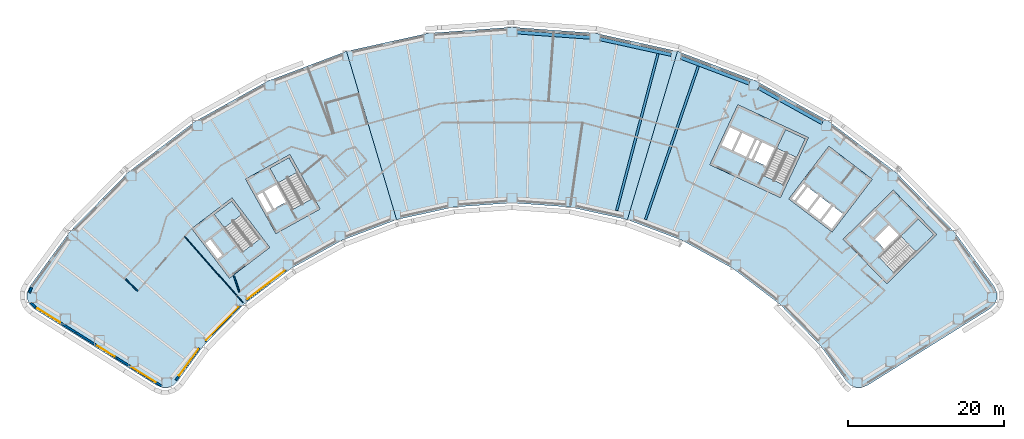
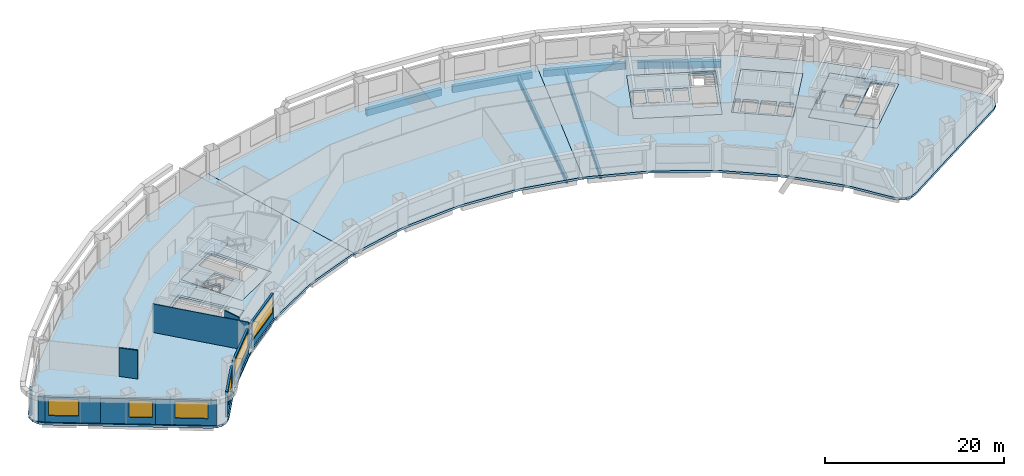
# One storey, part 2 of 11: 12 slabs, 11 walls, 6 beams, 6 windows, 6 openings, 4 elements without a shape of their own.
"""IFC4 building model written with IfcOpenShell, lengths in metres."""

from ifc_helpers import new_model, si_unit, direction, frame, frame_2d, origin, origin_2d, place, context, subcontext, project, spatial, polyline, rectangle, hollow_rectangle, i_section, outline, extrude, material, layer, layer_set, material_profile, profile_set, type_object, element, fill, aggregate, save


model = new_model("IFC4")

# Units and contexts
model_context = context("Model", 3, precision=1e-05, world=origin(), true_north=direction((0.0, 1.0)))
body_context = subcontext(model_context, "Body", "Model", "MODEL_VIEW")
ifc_project = project(units=[si_unit("LENGTHUNIT", "METRE"), si_unit("AREAUNIT", "SQUARE_METRE"), si_unit("VOLUMEUNIT", "CUBIC_METRE"), si_unit("PLANEANGLEUNIT", "RADIAN"), si_unit("MASSUNIT", "GRAM", prefix="KILO")], contexts=[model_context])

# Site, building, storey
site_placement = place(None, origin())
site = spatial("IfcSite", under=ifc_project, at=site_placement, CompositionType="ELEMENT")
building_placement = place(site_placement, origin())
building = spatial("IfcBuilding", under=site, at=building_placement, Name="Tuul Gate Civic Tower", CompositionType="ELEMENT")
storey_placement = place(building_placement, frame((0.0, 0.0, 52.5)))
storey = spatial("IfcBuildingStorey", under=building, at=storey_placement, Name="Level 11", CompositionType="ELEMENT", Elevation=52.5)

# Beams
ifc_material_1 = material(Name="Steel S355", Category="steel")
ifc_material_profile_1 = material_profile(ifc_material_1, i_section(OverallWidth=0.300048828125, OverallDepth=0.800048828125, WebThickness=0.013916015625, FlangeThickness=0.02490234375, at=origin_2d()), Name="PG800x300x14x25")
ifc_profile_set_1 = profile_set([ifc_material_profile_1], Name="Steel S355")
beam_type_1 = type_object("IfcBeamType", Name="STR-FLOOR BEAM-PG800x300x14x25", PredefinedType="BEAM", material=ifc_profile_set_1)
beam_1_placement = place(storey_placement, frame((17.146240234375, -10.189453125, -0.699951171875), z_axis=(0.325486974479, 0.945546524209, 0.0), x_axis=(-0.945546524209, 0.325486974479, 0.0)))
element("IfcBeam", 1, at=beam_1_placement, inside=storey, type_object=beam_type_1, Name="Floor beam", PredefinedType="BEAM", context=body_context, shape_type="SweptSolid", body=[
    extrude(i_section(OverallWidth=0.300048828125, OverallDepth=0.800048828125, WebThickness=0.013916015625, FlangeThickness=0.02490234375, at=origin_2d()), origin(), (0.0, 0.0, 1.0), 20.809326171875),
])
beam_2_placement = place(storey_placement, frame((13.438720703125, -9.04296875, -0.699951171875), z_axis=(0.255004720301, 0.96693980817, 0.0), x_axis=(-0.96693980817, 0.255004720301, 0.0)))
element("IfcBeam", 2, at=beam_2_placement, inside=storey, type_object=beam_type_1, Name="Floor beam", PredefinedType="BEAM", context=body_context, shape_type="SweptSolid", body=[
    extrude(i_section(OverallWidth=0.300048828125, OverallDepth=0.800048828125, WebThickness=0.013916015625, FlangeThickness=0.02490234375, at=origin_2d()), origin(), (0.0, 0.0, 1.0), 20.817626953125),
])
ifc_material_2 = material(Name="Steel S355", Category="steel")
ifc_material_profile_2 = material_profile(ifc_material_2, hollow_rectangle(XDim=0.449951171875, YDim=0.89990234375, WallThickness=0.02490234375, at=origin_2d()), Name="BOX900x450x25")
ifc_profile_set_2 = profile_set([ifc_material_profile_2], Name="Steel S355")
beam_type_2 = type_object("IfcBeamType", Name="STR-SPANDREL BEAM-BOX900x450x25", PredefinedType="BEAM", material=ifc_profile_set_2)
beam_3_placement = place(storey_placement, frame((39.83349609375, 2.191162109375, -0.75), z_axis=(-0.874628488078, 0.484793778676, 0.0), x_axis=(-0.484793778676, -0.874628488078, 0.0)))
element("IfcBeam", 3, at=beam_3_placement, inside=storey, type_object=beam_type_2, Name="Spandrel beam", PredefinedType="BEAM", context=body_context, shape_type="SweptSolid", body=[
    extrude(hollow_rectangle(XDim=0.449951171875, YDim=0.89990234375, WallThickness=0.02490234375, at=origin_2d()), origin(), (0.0, 0.0, 1.0), 9.37646484375),
])
beam_4_placement = place(storey_placement, frame((30.4560546875, 7.281982421875, -0.75), z_axis=(-0.935343306637, 0.353741287849, 0.0), x_axis=(-0.353741287849, -0.935343306637, 0.0)))
element("IfcBeam", 4, at=beam_4_placement, inside=storey, type_object=beam_type_2, Name="Spandrel beam", PredefinedType="BEAM", context=body_context, shape_type="SweptSolid", body=[
    extrude(hollow_rectangle(XDim=0.449951171875, YDim=0.89990234375, WallThickness=0.02490234375, at=origin_2d()), origin(), (0.0, 0.0, 1.0), 9.377197265625),
])
beam_5_placement = place(storey_placement, frame((20.442138671875, 10.968994140625, -0.75), z_axis=(-0.976572630495, 0.215188051174, 0.0), x_axis=(-0.215188051174, -0.976572630495, 0.0)))
element("IfcBeam", 5, at=beam_5_placement, inside=storey, type_object=beam_type_2, Name="Spandrel beam", PredefinedType="BEAM", context=body_context, shape_type="SweptSolid", body=[
    extrude(hollow_rectangle(XDim=0.449951171875, YDim=0.89990234375, WallThickness=0.02490234375, at=origin_2d()), origin(), (0.0, 0.0, 1.0), 9.378173828125),
])
beam_6_placement = place(storey_placement, frame((10.000732421875, 13.173828125, -0.75), z_axis=(-0.997388439542, 0.072223961869, 0.0), x_axis=(-0.072223961869, -0.997388439542, 0.0)))
element("IfcBeam", 6, at=beam_6_placement, inside=storey, type_object=beam_type_2, Name="Spandrel beam", PredefinedType="BEAM", context=body_context, shape_type="SweptSolid", body=[
    extrude(hollow_rectangle(XDim=0.449951171875, YDim=0.89990234375, WallThickness=0.02490234375, at=origin_2d()), origin(), (0.0, 0.0, 1.0), 9.376953125),
])

# Slabs
ifc_material_3 = material(Name="Concrete C40/50", Category="concrete")
ifc_layer_1 = layer(ifc_material_3, 0.300048828125)
ifc_layer_set_1 = layer_set([ifc_layer_1], Name="Concrete C40/50")
slab_type_1 = type_object("IfcSlabType", Name="Core floor slab 300", PredefinedType="FLOOR", material=ifc_layer_set_1)
slab_1_placement = place(storey_placement, frame((0.0, 0.0, -0.300048828125)))
element("IfcSlab", 7, at=slab_1_placement, inside=storey, type_object=slab_type_1, Name="FLOOR SLAB", PredefinedType="FLOOR", context=body_context, shape_type="SweptSolid", body=[
    extrude(outline(polyline([(-31.10009765625, -13.7890625), (-35.946044921875, -7.423828125), (-41.11767578125, -11.361572265625), (-36.271484375, -17.726806640625), (-31.10009765625, -13.7890625)]), holes=[polyline([(-37.19287109375, -14.783203125), (-38.737548828125, -12.75439453125), (-39.45361328125, -13.299560546875), (-37.908935546875, -15.328369140625), (-37.19287109375, -14.783203125)]), polyline([(-32.33935546875, -12.65771484375), (-34.56591796875, -14.352783203125), (-38.229736328125, -9.54052734375), (-36.003173828125, -7.845458984375), (-32.33935546875, -12.65771484375)])]), origin(), (0.0, 0.0, 1.0), 0.300048828125),
])
slab_2_placement = place(storey_placement, frame((0.0, 0.0, -0.300048828125)))
element("IfcSlab", 8, at=slab_2_placement, inside=storey, type_object=slab_type_1, Name="FLOOR SLAB", PredefinedType="FLOOR", context=body_context, shape_type="SweptSolid", body=[
    extrude(outline(polyline([(-24.638916015625, -8.846923828125), (-28.51708984375, -1.849853515625), (-34.2021484375, -5.0009765625), (-30.32421875, -11.998046875), (-24.638916015625, -8.846923828125)]), holes=[polyline([(-29.0185546875, -7.958740234375), (-30.254638671875, -5.728515625), (-31.785400390625, -6.576904296875), (-30.54931640625, -8.80712890625), (-29.0185546875, -7.958740234375)]), polyline([(-30.8115234375, -8.95263671875), (-32.047607421875, -6.72216796875), (-32.8349609375, -7.158447265625), (-31.5986328125, -9.388916015625), (-30.8115234375, -8.95263671875)]), polyline([(-25.702392578125, -7.548828125), (-28.14990234375, -8.905517578125), (-31.08203125, -3.615234375), (-28.63427734375, -2.2587890625), (-25.702392578125, -7.548828125)])]), origin(), (0.0, 0.0, 1.0), 0.300048828125),
])
slab_3_placement = place(storey_placement, frame((0.0, 0.0, -0.300048828125)))
element("IfcSlab", 9, at=slab_3_placement, inside=storey, type_object=slab_type_1, Name="FLOOR SLAB", PredefinedType="FLOOR", context=body_context, shape_type="SweptSolid", body=[
    extrude(outline(polyline([(48.117919921875, -18.43310546875), (54.545166015625, -12.1328125), (48.945068359375, -6.419921875), (42.517822265625, -12.719970703125), (48.117919921875, -18.43310546875)]), holes=[polyline([(47.808837890625, -13.974853515625), (49.6298828125, -12.18994140625), (48.40478515625, -10.940185546875), (46.583984375, -12.72509765625), (47.808837890625, -13.974853515625)]), polyline([(44.93896484375, -11.046875), (46.760009765625, -9.261962890625), (46.514892578125, -9.011962890625), (44.69384765625, -10.797119140625), (44.93896484375, -11.046875)]), polyline([(49.086181640625, -17.062744140625), (47.12744140625, -15.064208984375), (52.160888671875, -10.130126953125), (54.11962890625, -12.128662109375), (49.086181640625, -17.062744140625)])]), origin(), (0.0, 0.0, 1.0), 0.300048828125),
])
slab_4_placement = place(storey_placement, frame((0.0, 0.0, -0.300048828125)))
element("IfcSlab", 10, at=slab_4_placement, inside=storey, type_object=slab_type_1, Name="FLOOR SLAB", PredefinedType="FLOOR", context=body_context, shape_type="SweptSolid", body=[
    extrude(outline(polyline([(34.465087890625, -7.385986328125), (38.056884765625, 0.31787109375), (28.993896484375, 4.543701171875), (25.40185546875, -3.159912109375), (34.465087890625, -7.385986328125)]), holes=[polyline([(32.60888671875, -3.32080078125), (33.6865234375, -1.009765625), (32.1005859375, -0.27001953125), (31.02294921875, -2.581298828125), (32.60888671875, -3.32080078125)]), polyline([(30.0712890625, -2.137451171875), (31.14892578125, 0.173583984375), (29.562744140625, 0.9130859375), (28.4853515625, -1.39794921875), (30.0712890625, -2.137451171875)]), polyline([(30.751220703125, -2.454345703125), (31.82861328125, -0.143310546875), (31.4208984375, 0.046875), (30.34326171875, -2.264404296875), (30.751220703125, -2.454345703125)]), polyline([(28.21337890625, -1.27099609375), (29.291015625, 1.0400390625), (27.8408203125, 1.71630859375), (26.76318359375, -0.594970703125), (28.21337890625, -1.27099609375)]), polyline([(34.889892578125, -5.7626953125), (32.353759765625, -4.580078125), (35.120849609375, 1.354736328125), (37.6572265625, 0.17236328125), (34.889892578125, -5.7626953125)])]), origin(), (0.0, 0.0, 1.0), 0.300048828125),
])
ifc_material_4 = material(Name="Concrete C40/50", Category="concrete")
ifc_layer_2 = layer(ifc_material_4, 0.300048828125)
ifc_layer_set_2 = layer_set([ifc_layer_2], Name="Concrete C40/50")
slab_type_2 = type_object("IfcSlabType", Name="Core floor slab 300 non-bearing", PredefinedType="FLOOR", material=ifc_layer_set_2)
slab_5_placement = place(storey_placement, frame((0.0, 0.0, -0.300048828125)))
element("IfcSlab", 11, at=slab_5_placement, inside=storey, type_object=slab_type_2, Name="FLOOR SLAB", PredefinedType="FLOOR", context=body_context, shape_type="SweptSolid", body=[
    extrude(outline(polyline([(41.10107421875, -11.797119140625), (46.25, -5.033935546875), (40.680908203125, -0.79296875), (35.531982421875, -7.555908203125), (41.10107421875, -11.797119140625)]), holes=[polyline([(41.044189453125, -11.37646484375), (42.497802734375, -9.467041015625), (41.22509765625, -8.49755859375), (39.77099609375, -10.4072265625), (41.044189453125, -11.37646484375)]), polyline([(39.532470703125, -10.225341796875), (40.986328125, -8.31591796875), (39.593994140625, -7.255615234375), (38.14013671875, -9.165283203125), (39.532470703125, -10.225341796875)]), polyline([(37.901611328125, -8.9833984375), (39.35546875, -7.073974609375), (37.963134765625, -6.013671875), (36.50927734375, -7.923095703125), (37.901611328125, -8.9833984375)]), polyline([(36.1796875, -7.860595703125), (37.724609375, -5.831787109375), (37.286865234375, -5.49853515625), (35.7421875, -7.527587890625), (36.1796875, -7.860595703125)])]), origin(), (0.0, 0.0, 1.0), 0.300048828125),
])

# Stair, slab
ifc_material_5 = material(Name="Concrete C40/50", Category="concrete")
stair_type = type_object("IfcStairType", Name="Exit stair", PredefinedType="HALF_TURN_STAIR", material=ifc_material_5)
stair_1_placement = place(storey_placement, origin())
stair_1 = element("IfcStair", 12, at=stair_1_placement, inside=storey, type_object=stair_type, Name="Level 11 ST-1", PredefinedType="HALF_TURN_STAIR")
ifc_material_6 = material(Name="Concrete C40/50", Category="concrete")
ifc_layer_3 = layer(ifc_material_6, 0.199951171875)
ifc_layer_set_3 = layer_set([ifc_layer_3], Name="Concrete C40/50")
slab_type_3 = type_object("IfcSlabType", Name="Exit stair landing", PredefinedType="LANDING", material=ifc_layer_set_3)
slab_6_placement = place(storey_placement, frame((0.0, 0.0, 1.89990234375)))
slab_6 = element("IfcSlab", 13, at=slab_6_placement, type_object=slab_type_3, Name="ST-1 landing 1", PredefinedType="LANDING", context=body_context, shape_type="SweptSolid", body=[
    extrude(outline(polyline([(-34.699462890625, -9.554931640625), (-36.9287109375, -11.252197265625), (-38.23193359375, -9.540283203125), (-36.0029296875, -7.843017578125), (-34.699462890625, -9.554931640625)])), origin(), (0.0, 0.0, 1.0), 0.2001953125),
])
aggregate(stair_1, [slab_6])

stair_2_placement = place(storey_placement, origin())
stair_2 = element("IfcStair", 14, at=stair_2_placement, inside=storey, type_object=stair_type, Name="Level 11 ST-2", PredefinedType="HALF_TURN_STAIR")
slab_7_placement = place(storey_placement, frame((0.0, 0.0, 1.89990234375)))
slab_7 = element("IfcSlab", 15, at=slab_7_placement, type_object=slab_type_3, Name="ST-2 landing 1", PredefinedType="LANDING", context=body_context, shape_type="SweptSolid", body=[
    extrude(outline(polyline([(-27.5908203125, -4.138427734375), (-30.041015625, -5.49658203125), (-31.084228515625, -3.61474609375), (-28.6337890625, -2.256591796875), (-27.5908203125, -4.138427734375)])), origin(), (0.0, 0.0, 1.0), 0.2001953125),
])
aggregate(stair_2, [slab_7])

stair_3_placement = place(storey_placement, origin())
stair_3 = element("IfcStair", 16, at=stair_3_placement, inside=storey, type_object=stair_type, Name="Level 11 ST-3", PredefinedType="HALF_TURN_STAIR")
slab_8_placement = place(storey_placement, frame((0.0, 0.0, 1.89990234375)))
slab_8 = element("IfcSlab", 17, at=slab_8_placement, type_object=slab_type_3, Name="ST-3 landing 1", PredefinedType="LANDING", context=body_context, shape_type="SweptSolid", body=[
    extrude(outline(polyline([(51.871337890625, -14.3349609375), (49.91015625, -12.334228515625), (52.160888671875, -10.1279296875), (54.1220703125, -12.128662109375), (51.871337890625, -14.3349609375)])), origin(), (0.0, 0.0, 1.0), 0.2001953125),
])
aggregate(stair_3, [slab_8])

stair_4_placement = place(storey_placement, origin())
stair_4 = element("IfcStair", 18, at=stair_4_placement, inside=storey, type_object=stair_type, Name="Level 11 ST-4", PredefinedType="HALF_TURN_STAIR")
slab_9_placement = place(storey_placement, frame((0.0, 0.0, 1.89990234375)))
slab_9 = element("IfcSlab", 19, at=slab_9_placement, type_object=slab_type_3, Name="ST-4 landing 1", PredefinedType="LANDING", context=body_context, shape_type="SweptSolid", body=[
    extrude(outline(polyline([(36.538818359375, -2.230224609375), (33.999755859375, -1.046142578125), (35.1201171875, 1.35693359375), (37.659423828125, 0.173095703125), (36.538818359375, -2.230224609375)])), origin(), (0.0, 0.0, 1.0), 0.2001953125),
])
aggregate(stair_4, [slab_9])

# Slabs
ifc_material_7 = material(Name="Concrete C35/45", Category="concrete")
ifc_layer_4 = layer(ifc_material_7, 0.300048828125)
ifc_layer_set_4 = layer_set([ifc_layer_4], Name="Concrete C35/45")
slab_type_4 = type_object("IfcSlabType", Name="STR-FLOOR-SLAB-300", PredefinedType="FLOOR", material=ifc_layer_set_4)
slab_10_placement = place(storey_placement, frame((0.0, 0.0, -0.300048828125)))
element("IfcSlab", 20, at=slab_10_placement, inside=storey, type_object=slab_type_4, Name="Level 11/slab/W", PredefinedType="FLOOR", context=body_context, shape_type="SweptSolid", body=[
    extrude(outline(polyline([(-21.833984375, -12.87109375), (-14.81396484375, -10.216064453125), (-21.248046875, 11.406005859375), (-31.31689453125, 7.597900390625), (-40.73095703125, 2.3798828125), (-49.2958984375, -4.14111328125), (-56.8310546875, -11.827880859375), (-61.910888671875, -18.784912109375), (-62.248046875, -19.528076171875), (-62.260009765625, -20.343017578125), (-61.945068359375, -21.095947265625), (-61.35595703125, -21.659912109375), (-45.6259765625, -31.489990234375), (-44.931884765625, -31.760009765625), (-44.18701171875, -31.757080078125), (-43.4951171875, -31.48193359375), (-42.950927734375, -30.972900390625), (-39.6220703125, -26.4150390625), (-34.368896484375, -21.055908203125), (-28.39794921875, -16.509033203125), (-21.833984375, -12.87109375)]), holes=[polyline([(-31.10009765625, -13.7890625), (-36.27197265625, -17.72705078125), (-41.117919921875, -11.362060546875), (-35.946044921875, -7.424072265625), (-31.10009765625, -13.7890625)]), polyline([(-24.638916015625, -8.846923828125), (-30.323974609375, -11.998046875), (-34.201904296875, -5.0009765625), (-28.51708984375, -1.85009765625), (-24.638916015625, -8.846923828125)])]), origin(), (0.0, 0.0, 1.0), 0.300048828125),
])
slab_11_placement = place(storey_placement, frame((0.0, 0.0, -0.300048828125)))
element("IfcSlab", 21, at=slab_11_placement, inside=storey, type_object=slab_type_4, Name="Level 11/slab/M", PredefinedType="FLOOR", context=body_context, shape_type="SweptSolid", body=[
    extrude(outline(polyline([(14.81396484375, -10.216064453125), (21.248046875, 11.406005859375), (10.736083984375, 13.721923828125), (0.0, 14.5), (-10.736083984375, 13.721923828125), (-21.248046875, 11.406005859375), (-14.81396484375, -10.216064453125), (-7.485107421875, -8.60107421875), (0.0, -8.05908203125), (7.485107421875, -8.60107421875), (14.81396484375, -10.216064453125)])), origin(), (0.0, 0.0, 1.0), 0.300048828125),
])
slab_12_placement = place(storey_placement, frame((0.0, 0.0, -0.300048828125)))
element("IfcSlab", 22, at=slab_12_placement, inside=storey, type_object=slab_type_4, Name="Level 11/slab/E", PredefinedType="FLOOR", context=body_context, shape_type="SweptSolid", body=[
    extrude(outline(polyline([(44.931884765625, -31.760009765625), (45.6259765625, -31.489990234375), (61.35595703125, -21.659912109375), (61.945068359375, -21.095947265625), (62.260009765625, -20.343017578125), (62.248046875, -19.528076171875), (61.910888671875, -18.784912109375), (56.8310546875, -11.827880859375), (49.2958984375, -4.14111328125), (40.73095703125, 2.3798828125), (31.31689453125, 7.597900390625), (21.248046875, 11.406005859375), (14.81396484375, -10.216064453125), (21.833984375, -12.87109375), (28.39794921875, -16.509033203125), (34.368896484375, -21.055908203125), (39.6220703125, -26.4150390625), (42.950927734375, -30.972900390625), (43.4951171875, -31.48193359375), (44.18701171875, -31.757080078125), (44.931884765625, -31.760009765625)]), holes=[polyline([(48.117919921875, -18.43310546875), (42.51806640625, -12.719970703125), (48.945068359375, -6.419921875), (54.544921875, -12.133056640625), (48.117919921875, -18.43310546875)]), polyline([(35.531982421875, -7.555908203125), (40.680908203125, -0.79296875), (46.25, -5.033935546875), (41.10107421875, -11.797119140625), (35.531982421875, -7.555908203125)]), polyline([(25.402099609375, -3.159912109375), (28.993896484375, 4.5439453125), (38.056884765625, 0.318115234375), (34.465087890625, -7.385986328125), (25.402099609375, -3.159912109375)])]), origin(), (0.0, 0.0, 1.0), 0.300048828125),
])

# Walls
ifc_material_8 = material(Name="Gypsum board partition")
ifc_layer_5 = layer(ifc_material_8, 0.14990234375)
ifc_layer_set_5 = layer_set([ifc_layer_5], Name="Gypsum board partition")
wall_type_1 = type_object("IfcWallType", Name="Corridor wall P150", PredefinedType="PARTITIONING", material=ifc_layer_set_5)
wall_1_placement = place(storey_placement, frame((-49.59375, -17.883544921875, 0.0), z_axis=(0.0, 0.0, 1.0), x_axis=(0.719862591695, -0.69411659617, 0.0)))
element("IfcWall", 23, at=wall_1_placement, inside=storey, type_object=wall_type_1, Name="p039", PredefinedType="PARTITIONING", context=body_context, shape_type="SweptSolid", body=[
    extrude(rectangle(XDim=2.14306640625, YDim=0.14990234375, at=frame_2d((1.071533203125, 0.0))), origin(), (0.0, 0.0, 1.0), 3.89990234375),
])
wall_2_placement = place(storey_placement, frame((-35.69580078125, -17.47802734375, 0.0), z_axis=(0.0, 0.0, 1.0), x_axis=(0.324543357606, -0.945870820479, 0.0)))
element("IfcWall", 24, at=wall_2_placement, inside=storey, type_object=wall_type_1, Name="p048", PredefinedType="PARTITIONING", context=body_context, shape_type="SweptSolid", body=[
    extrude(rectangle(XDim=2.13720703125, YDim=0.14990234375, at=frame_2d((1.068603515625, 0.0))), origin(), (0.0, 0.0, 1.0), 3.89990234375),
])
ifc_material_9 = material(Name="Precast concrete C40/50", Category="concrete")
ifc_layer_6 = layer(ifc_material_9, 0.25)
ifc_layer_set_6 = layer_set([ifc_layer_6], Name="Precast concrete C40/50")
wall_type_2 = type_object("IfcWallType", Name="External wall", PredefinedType="STANDARD", material=ifc_layer_set_6)
wall_3_placement = place(storey_placement, frame((-61.67626953125, -18.924560546875, 0.0), z_axis=(0.0, 0.0, 1.0), x_axis=(-0.412831515496, -0.910807410934, 0.0)))
element("IfcWall", 25, at=wall_3_placement, inside=storey, type_object=wall_type_2, Name="External wall", PredefinedType="STANDARD", context=body_context, shape_type="SweptSolid", body=[
    extrude(rectangle(XDim=0.7197265625, YDim=0.25, at=frame_2d((0.35986328125, 0.0))), origin(), (0.0, 0.0, 1.0), 3.449951171875),
])
wall_4_placement = place(storey_placement, frame((-61.778076171875, -20.8798828125, 0.0), z_axis=(0.0, 0.0, 1.0), x_axis=(0.722244224905, -0.691638113172, 0.0)))
element("IfcWall", 26, at=wall_4_placement, inside=storey, type_object=wall_type_2, Name="External wall", PredefinedType="STANDARD", context=body_context, shape_type="SweptSolid", body=[
    extrude(rectangle(XDim=0.813720703125, YDim=0.25, at=frame_2d((0.40673828125, 0.0))), origin(), (0.0, 0.0, 1.0), 3.449951171875),
])

# Wall, opening, window
wall_5_placement = place(storey_placement, frame((-61.210693359375, -21.427001953125, 0.0), z_axis=(0.0, 0.0, 1.0), x_axis=(0.848042669488, -0.529927948619, 0.0)))
wall_5 = element("IfcWall", 27, at=wall_5_placement, inside=storey, type_object=wall_type_2, Name="External wall", PredefinedType="STANDARD", context=body_context, shape_type="SweptSolid", body=[
    extrude(rectangle(XDim=6.1826171875, YDim=0.25, at=frame_2d((3.09130859375, 0.0))), origin(), (0.0, 0.0, 1.0), 3.449951171875),
])
opening_1_placement = place(wall_5_placement, frame((0.340087890625, 0.0, 0.89990234375)))
opening_1 = element("IfcOpeningElement", 28, at=opening_1_placement, cuts=wall_5, Name="Opening W32", PredefinedType="OPENING", context=body_context, shape_type="SweptSolid", body=[
    extrude(rectangle(XDim=3.39990234375, YDim=2.300048828125, at=frame_2d((1.699951171875, 1.14990234375))), frame((0.0, 0.135009765625, 0.0), z_axis=(0.0, -1.0, 0.0), x_axis=(1.0, 0.0, 0.0)), (0.0, 0.0, 1.0), 0.27001953125),
])
ifc_material_10 = material(Name="Glass", Category="glass")
window_type_1 = type_object("IfcWindowType", Name="Window 3400 x 2300", PartitioningType="SINGLE_PANEL", PredefinedType="WINDOW", material=ifc_material_10)
window_1_placement = place(opening_1_placement, origin())
window_1 = element("IfcWindow", 29, at=window_1_placement, inside=storey, type_object=window_type_1, Name="Window", OverallHeight=2.300048828125, OverallWidth=3.39990234375, PartitioningType="SINGLE_PANEL", PredefinedType="WINDOW", context=body_context, shape_type="SweptSolid", body=[
    extrude(rectangle(XDim=3.39990234375, YDim=2.300048828125, at=frame_2d((1.699951171875, 1.14990234375))), frame((0.0, 0.030029296875, 0.0), z_axis=(0.0, -1.0, 0.0), x_axis=(1.0, 0.0, 0.0)), (0.0, 0.0, 1.0), 0.06005859375),
])
fill(opening_1, window_1)

wall_6_placement = place(storey_placement, frame((-55.967529296875, -24.703369140625, 0.0), z_axis=(0.0, 0.0, 1.0), x_axis=(0.848053758074, -0.529910203164, 0.0)))
wall_6 = element("IfcWall", 30, at=wall_6_placement, inside=storey, type_object=wall_type_2, Name="External wall", PredefinedType="STANDARD", context=body_context, shape_type="SweptSolid", body=[
    extrude(rectangle(XDim=6.182861328125, YDim=0.25, at=frame_2d((3.09130859375, 0.0))), origin(), (0.0, 0.0, 1.0), 3.449951171875),
])
opening_2_placement = place(wall_6_placement, frame((3.199951171875, 0.0, 0.89990234375)))
opening_2 = element("IfcOpeningElement", 31, at=opening_2_placement, cuts=wall_6, Name="Opening W37", PredefinedType="OPENING", context=body_context, shape_type="SweptSolid", body=[
    extrude(rectangle(XDim=2.64990234375, YDim=2.300048828125, at=frame_2d((1.324951171875, 1.14990234375))), frame((0.0, 0.135009765625, 0.0), z_axis=(0.0, -1.0, 0.0), x_axis=(1.0, 0.0, 0.0)), (0.0, 0.0, 1.0), 0.27001953125),
])
ifc_material_11 = material(Name="Glass", Category="glass")
window_type_2 = type_object("IfcWindowType", Name="Window 2650 x 2300", PartitioningType="SINGLE_PANEL", PredefinedType="WINDOW", material=ifc_material_11)
window_2_placement = place(opening_2_placement, origin())
window_2 = element("IfcWindow", 32, at=window_2_placement, inside=storey, type_object=window_type_2, Name="Window", OverallHeight=2.300048828125, OverallWidth=2.64990234375, PartitioningType="SINGLE_PANEL", PredefinedType="WINDOW", context=body_context, shape_type="SweptSolid", body=[
    extrude(rectangle(XDim=2.64990234375, YDim=2.300048828125, at=frame_2d((1.324951171875, 1.14990234375))), frame((0.0, 0.030029296875, 0.0), z_axis=(0.0, -1.0, 0.0), x_axis=(1.0, 0.0, 0.0)), (0.0, 0.0, 1.0), 0.06005859375),
])
fill(opening_2, window_2)

wall_7_placement = place(storey_placement, frame((-50.72412109375, -27.979736328125, 0.0), z_axis=(0.0, 0.0, 1.0), x_axis=(0.848068815002, -0.529886105707, 0.0)))
wall_7 = element("IfcWall", 33, at=wall_7_placement, inside=storey, type_object=wall_type_2, Name="External wall", PredefinedType="STANDARD", context=body_context, shape_type="SweptSolid", body=[
    extrude(rectangle(XDim=6.807373046875, YDim=0.25, at=frame_2d((3.40380859375, 0.0))), origin(), (0.0, 0.0, 1.0), 3.449951171875),
])
opening_3_placement = place(wall_7_placement, frame((2.1640625, 0.0, 0.89990234375)))
opening_3 = element("IfcOpeningElement", 34, at=opening_3_placement, cuts=wall_7, Name="Opening W21", PredefinedType="OPENING", context=body_context, shape_type="SweptSolid", body=[
    extrude(rectangle(XDim=3.699951171875, YDim=2.300048828125, at=frame_2d((1.85009765625, 1.14990234375))), frame((0.0, 0.135009765625, 0.0), z_axis=(0.0, -1.0, 0.0), x_axis=(1.0, 0.0, 0.0)), (0.0, 0.0, 1.0), 0.27001953125),
])
ifc_material_12 = material(Name="Glass", Category="glass")
window_type_3 = type_object("IfcWindowType", Name="Window W21 3700 x 2300", PartitioningType="SINGLE_PANEL", PredefinedType="WINDOW", material=ifc_material_12)
window_3_placement = place(opening_3_placement, origin())
window_3 = element("IfcWindow", 35, at=window_3_placement, inside=storey, type_object=window_type_3, Name="Window", OverallHeight=2.300048828125, OverallWidth=3.699951171875, PartitioningType="SINGLE_PANEL", PredefinedType="WINDOW", context=body_context, shape_type="SweptSolid", body=[
    extrude(rectangle(XDim=3.699951171875, YDim=2.300048828125, at=frame_2d((1.85009765625, 1.14990234375))), frame((0.0, 0.030029296875, 0.0), z_axis=(0.0, -1.0, 0.0), x_axis=(1.0, 0.0, 0.0)), (0.0, 0.0, 1.0), 0.06005859375),
])
fill(opening_3, window_3)

wall_8_placement = place(storey_placement, frame((-43.1728515625, -30.811279296875, 0.0), z_axis=(0.0, 0.0, 1.0), x_axis=(0.589712900291, 0.807612961282, 0.0)))
wall_8 = element("IfcWall", 36, at=wall_8_placement, inside=storey, type_object=wall_type_2, Name="External wall", PredefinedType="STANDARD", context=body_context, shape_type="SweptSolid", body=[
    extrude(rectangle(XDim=5.120361328125, YDim=0.25, at=frame_2d((2.56005859375, 0.0))), origin(), (0.0, 0.0, 1.0), 3.449951171875),
])
opening_4_placement = place(wall_8_placement, frame((0.75244140625, 0.0, 0.89990234375)))
opening_4 = element("IfcOpeningElement", 37, at=opening_4_placement, cuts=wall_8, Name="Opening W25", PredefinedType="OPENING", context=body_context, shape_type="SweptSolid", body=[
    extrude(rectangle(XDim=4.14990234375, YDim=2.300048828125, at=frame_2d((2.074951171875, 1.14990234375))), frame((0.0, 0.135009765625, 0.0), z_axis=(0.0, -1.0, 0.0), x_axis=(1.0, 0.0, 0.0)), (0.0, 0.0, 1.0), 0.27001953125),
])
ifc_material_13 = material(Name="Glass", Category="glass")
window_type_4 = type_object("IfcWindowType", Name="Window W25 4150 x 2300", PartitioningType="SINGLE_PANEL", PredefinedType="WINDOW", material=ifc_material_13)
window_4_placement = place(opening_4_placement, origin())
window_4 = element("IfcWindow", 38, at=window_4_placement, inside=storey, type_object=window_type_4, Name="Window", OverallHeight=2.300048828125, OverallWidth=4.14990234375, PartitioningType="SINGLE_PANEL", PredefinedType="WINDOW", context=body_context, shape_type="SweptSolid", body=[
    extrude(rectangle(XDim=4.14990234375, YDim=2.300048828125, at=frame_2d((2.074951171875, 1.14990234375))), frame((0.0, 0.030029296875, 0.0), z_axis=(0.0, -1.0, 0.0), x_axis=(1.0, 0.0, 0.0)), (0.0, 0.0, 1.0), 0.06005859375),
])
fill(opening_4, window_4)

wall_9_placement = place(storey_placement, frame((-39.430908203125, -25.827392578125, 0.0), z_axis=(0.0, 0.0, 1.0), x_axis=(0.699998211198, 0.714144596227, 0.0)))
wall_9 = element("IfcWall", 39, at=wall_9_placement, inside=storey, type_object=wall_type_2, Name="External wall", PredefinedType="STANDARD", context=body_context, shape_type="SweptSolid", body=[
    extrude(rectangle(XDim=6.40283203125, YDim=0.25, at=frame_2d((3.201416015625, 0.0))), origin(), (0.0, 0.0, 1.0), 3.449951171875),
])
opening_5_placement = place(wall_9_placement, frame((0.19873046875, 0.0, 0.89990234375)))
opening_5 = element("IfcOpeningElement", 40, at=opening_5_placement, cuts=wall_9, Name="Opening W26", PredefinedType="OPENING", context=body_context, shape_type="SweptSolid", body=[
    extrude(rectangle(XDim=6.0, YDim=2.300048828125, at=frame_2d((3.0, 1.14990234375))), frame((0.0, 0.135009765625, 0.0), z_axis=(0.0, -1.0, 0.0), x_axis=(1.0, 0.0, 0.0)), (0.0, 0.0, 1.0), 0.27001953125),
])
ifc_material_14 = material(Name="Glass", Category="glass")
window_type_5 = type_object("IfcWindowType", Name="Window W26 6000 x 2300", PartitioningType="SINGLE_PANEL", PredefinedType="WINDOW", material=ifc_material_14)
window_5_placement = place(opening_5_placement, origin())
window_5 = element("IfcWindow", 41, at=window_5_placement, inside=storey, type_object=window_type_5, Name="Window", OverallHeight=2.300048828125, OverallWidth=6.0, PartitioningType="SINGLE_PANEL", PredefinedType="WINDOW", context=body_context, shape_type="SweptSolid", body=[
    extrude(rectangle(XDim=6.0, YDim=2.300048828125, at=frame_2d((3.0, 1.14990234375))), frame((0.0, 0.030029296875, 0.0), z_axis=(0.0, -1.0, 0.0), x_axis=(1.0, 0.0, 0.0)), (0.0, 0.0, 1.0), 0.06005859375),
])
fill(opening_5, window_5)

wall_10_placement = place(storey_placement, frame((-34.116943359375, -20.5185546875, 0.0), z_axis=(0.0, 0.0, 1.0), x_axis=(0.795571471624, 0.605859747416, 0.0)))
wall_10 = element("IfcWall", 42, at=wall_10_placement, inside=storey, type_object=wall_type_2, Name="External wall", PredefinedType="STANDARD", context=body_context, shape_type="SweptSolid", body=[
    extrude(rectangle(XDim=6.375244140625, YDim=0.25, at=frame_2d((3.1875, 0.0))), origin(), (0.0, 0.0, 1.0), 3.449951171875),
])
opening_6_placement = place(wall_10_placement, frame((0.226806640625, 0.0, 0.89990234375)))
opening_6 = element("IfcOpeningElement", 43, at=opening_6_placement, cuts=wall_10, Name="Opening W26", PredefinedType="OPENING", context=body_context, shape_type="SweptSolid", body=[
    extrude(rectangle(XDim=6.0, YDim=2.300048828125, at=frame_2d((3.0, 1.14990234375))), frame((0.0, 0.135009765625, 0.0), z_axis=(0.0, -1.0, 0.0), x_axis=(1.0, 0.0, 0.0)), (0.0, 0.0, 1.0), 0.27001953125),
])
window_6_placement = place(opening_6_placement, origin())
window_6 = element("IfcWindow", 44, at=window_6_placement, inside=storey, type_object=window_type_5, Name="Window", OverallHeight=2.300048828125, OverallWidth=6.0, PartitioningType="SINGLE_PANEL", PredefinedType="WINDOW", context=body_context, shape_type="SweptSolid", body=[
    extrude(rectangle(XDim=6.0, YDim=2.300048828125, at=frame_2d((3.0, 1.14990234375))), frame((0.0, 0.030029296875, 0.0), z_axis=(0.0, -1.0, 0.0), x_axis=(1.0, 0.0, 0.0)), (0.0, 0.0, 1.0), 0.06005859375),
])
fill(opening_6, window_6)

# Wall
ifc_material_15 = material(Name="Gypsum board partition")
ifc_layer_7 = layer(ifc_material_15, 0.10009765625)
ifc_layer_set_7 = layer_set([ifc_layer_7], Name="Gypsum board partition")
wall_type_3 = type_object("IfcWallType", Name="Partition P100", PredefinedType="PARTITIONING", material=ifc_layer_set_7)
wall_11_placement = place(storey_placement, frame((-42.023193359375, -12.382080078125, 0.0), z_axis=(0.0, 0.0, 1.0), x_axis=(0.661693106294, -0.749774788242, 0.0)))
element("IfcWall", 45, at=wall_11_placement, inside=storey, type_object=wall_type_3, Name="p046", PredefinedType="PARTITIONING", context=body_context, shape_type="SweptSolid", body=[
    extrude(rectangle(XDim=11.297607421875, YDim=0.10009765625, at=frame_2d((5.64892578125, 0.0))), origin(), (0.0, 0.0, 1.0), 3.89990234375),
])

save(model, "model.ifc")
